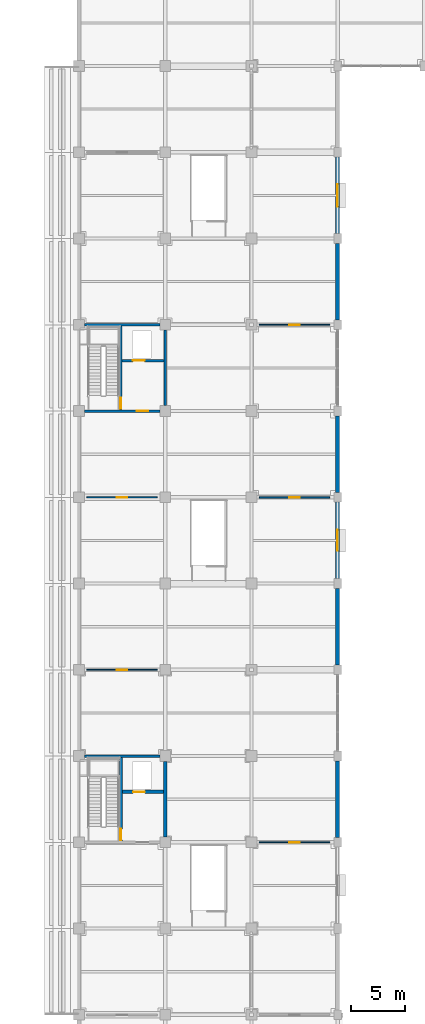
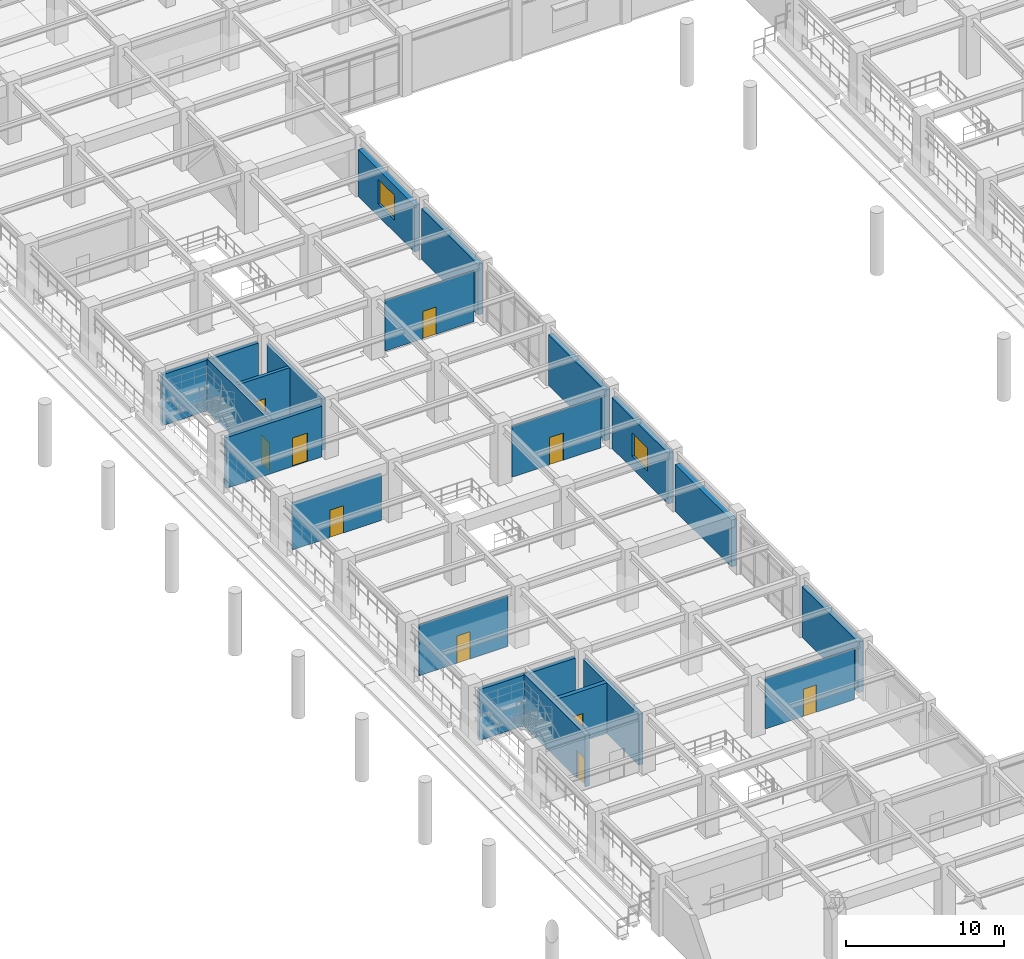
# One storey, part 79 of 117: 20 walls, 10 doors, 2 windows, 12 openings.
"""IFC4 building model written with IfcOpenShell, lengths in metres."""

from ifc_helpers import new_model, si_unit, direction, frame, frame_2d, origin, place, context, subcontext, project, spatial, rectangle, extrude, material, layer, layer_set, type_object, element, fill, save


model = new_model("IFC4")

# Units and contexts
model_context = context("Model", 3, precision=1e-05, world=origin(), true_north=direction((0.0, 1.0)))
body_context = subcontext(model_context, "Body", "Model", "MODEL_VIEW")
ifc_project = project(units=[si_unit("LENGTHUNIT", "METRE"), si_unit("AREAUNIT", "SQUARE_METRE"), si_unit("VOLUMEUNIT", "CUBIC_METRE"), si_unit("PLANEANGLEUNIT", "RADIAN"), si_unit("MASSUNIT", "GRAM", prefix="KILO")], contexts=[model_context])

# Site, building, storey
site_placement = place(None, origin())
site = spatial("IfcSite", under=ifc_project, at=site_placement, CompositionType="ELEMENT")
building_placement = place(site_placement, origin())
building = spatial("IfcBuilding", under=site, at=building_placement, Name="Haebicheon Civic Stadium", CompositionType="ELEMENT")
storey_placement = place(building_placement, frame((0.0, 0.0, 4.800048828125)))
storey = spatial("IfcBuildingStorey", under=building, at=storey_placement, Name="L02", CompositionType="ELEMENT", Elevation=4.800048828125)

# Wall
ifc_material_1 = material(Name="Concrete C40/50", Category="concrete")
ifc_layer_1 = layer(ifc_material_1, 0.239990234375, Name="Concrete C40/50")
ifc_layer_set_1 = layer_set([ifc_layer_1], Name="Concrete C40/50")
wall_type_1 = type_object("IfcWallType", Name="CW-SHR-240", PredefinedType="SHEAR", material=ifc_layer_set_1)
wall_1_placement = place(storey_placement, frame((144.5, 72.0, 0.0), z_axis=(0.0, 0.0, 1.0), x_axis=(1.0, 0.0, 0.0)))
element("IfcWall", 1, at=wall_1_placement, inside=storey, type_object=wall_type_1, material=ifc_layer_set_1, Name="KC-10 L02 north core shear wall", PredefinedType="SHEAR", context=body_context, shape_type="SweptSolid", body=[
    extrude(rectangle(XDim=7.0, YDim=0.239990234375, at=frame_2d((3.5, 0.0))), origin(), (0.0, 0.0, 1.0), 3.909912109375),
])

# Wall, opening, door
wall_2_placement = place(storey_placement, frame((144.5, 104.0, 0.0), z_axis=(0.0, 0.0, 1.0), x_axis=(1.0, 0.0, 0.0)))
wall_2 = element("IfcWall", 2, at=wall_2_placement, inside=storey, type_object=wall_type_1, material=ifc_layer_set_1, Name="KC-11 L02 south core shear wall", PredefinedType="SHEAR", context=body_context, shape_type="SweptSolid", body=[
    extrude(rectangle(XDim=7.0, YDim=0.239990234375, at=frame_2d((3.5, 0.0))), origin(), (0.0, 0.0, 1.0), 3.909912109375),
])
opening_1_placement = place(wall_2_placement, frame((4.85009765625, 0.0, 0.0)))
opening_1 = element("IfcOpeningElement", 3, at=opening_1_placement, cuts=wall_2, Name="Opening D-L02-KC-11-LOB", PredefinedType="OPENING", context=body_context, shape_type="SweptSolid", body=[
    extrude(rectangle(XDim=1.10009765625, YDim=2.199951171875, at=frame_2d((0.550048828125, 1.10009765625))), frame((0.0, 0.1298828125, 0.0), z_axis=(0.0, -1.0, 0.0), x_axis=(1.0, 0.0, 0.0)), (0.0, 0.0, 1.0), 0.260009765625),
])
ifc_material_2 = material(Name="Galvanised painted steel SM355", Category="steel")
door_type_1 = type_object("IfcDoorType", Name="ID-FD-1100", OperationType="NOTDEFINED", PredefinedType="DOOR", material=ifc_material_2)
door_1_placement = place(opening_1_placement, origin())
door_1 = element("IfcDoor", 4, at=door_1_placement, inside=storey, type_object=door_type_1, material=ifc_material_2, Name="L02 KC-11 lobby fire door", OperationType="SINGLE_SWING_RIGHT", OverallHeight=2.199951171875, OverallWidth=1.10009765625, PredefinedType="DOOR", context=body_context, shape_type="SweptSolid", body=[
    extrude(rectangle(XDim=1.10009765625, YDim=2.199951171875, at=frame_2d((0.550048828125, 1.10009765625))), frame((0.0, 0.02490234375, 0.0), z_axis=(0.0, -1.0, 0.0), x_axis=(1.0, 0.0, 0.0)), (0.0, 0.0, 1.0), 0.050048828125),
])
fill(opening_1, door_1)

# Walls
for number, where, z_axis, x_axis, name in (
    (5, (144.5, 112.0, 0.0), (0.0, 0.0, 1.0), (1.0, 0.0, 0.0), "KC-11 L02 north core shear wall"),
    (6, (152.0, 104.5, 0.0), (0.0, 0.0, 1.0), (0.0, 1.0, 0.0), "KC-11 L02 east core shear wall"),
):
    element("IfcWall", number, at=place(storey_placement, frame(where, z_axis=z_axis, x_axis=x_axis)), inside=storey, type_object=wall_type_1, material=ifc_layer_set_1, Name=name, PredefinedType="SHEAR", context=body_context, shape_type="SweptSolid", body=[
        extrude(rectangle(XDim=7.0, YDim=0.239990234375, at=frame_2d((3.5, 0.0))), origin(), (0.0, 0.0, 1.0), 3.909912109375),
    ])

# Wall, opening, door
wall_3_placement = place(storey_placement, frame((147.8798828125, 104.1201171875, 0.0), z_axis=(0.0, 0.0, 1.0), x_axis=(0.0, 1.0, 0.0)))
wall_3 = element("IfcWall", 7, at=wall_3_placement, inside=storey, type_object=wall_type_1, material=ifc_layer_set_1, Name="KC-11 L02 stair-lobby dividing shear wall", PredefinedType="SHEAR", context=body_context, shape_type="SweptSolid", body=[
    extrude(rectangle(XDim=7.759765625, YDim=0.239990234375, at=frame_2d((3.8798828125, 0.0))), origin(), (0.0, 0.0, 1.0), 4.010009765625),
])
opening_2_placement = place(wall_3_placement, frame((0.080078125, 0.0, 0.0)))
opening_2 = element("IfcOpeningElement", 8, at=opening_2_placement, cuts=wall_3, Name="Opening D-L02-KC-11-STR", PredefinedType="OPENING", context=body_context, shape_type="SweptSolid", body=[
    extrude(rectangle(XDim=1.050048828125, YDim=2.14990234375, at=frame_2d((0.52490234375, 1.074951171875))), frame((0.0, 0.1298828125, 0.0), z_axis=(0.0, -1.0, 0.0), x_axis=(1.0, 0.0, 0.0)), (0.0, 0.0, 1.0), 0.260009765625),
])
ifc_material_3 = material(Name="Galvanised painted steel SM355", Category="steel")
door_type_2 = type_object("IfcDoorType", Name="ID-FD-1050", OperationType="NOTDEFINED", PredefinedType="DOOR", material=ifc_material_3)
door_2_placement = place(opening_2_placement, origin())
door_2 = element("IfcDoor", 9, at=door_2_placement, inside=storey, type_object=door_type_2, material=ifc_material_3, Name="L02 ST-11 stairwell escape door", OperationType="SINGLE_SWING_LEFT", OverallHeight=2.14990234375, OverallWidth=1.050048828125, PredefinedType="DOOR", context=body_context, shape_type="SweptSolid", body=[
    extrude(rectangle(XDim=1.050048828125, YDim=2.14990234375, at=frame_2d((0.52490234375, 1.074951171875))), frame((0.0, 0.02490234375, 0.0), z_axis=(0.0, -1.0, 0.0), x_axis=(1.0, 0.0, 0.0)), (0.0, 0.0, 1.0), 0.050048828125),
])
fill(opening_2, door_2)

wall_4_placement = place(storey_placement, frame((148.0, 108.679931640625, 0.0), z_axis=(0.0, 0.0, 1.0), x_axis=(1.0, 0.0, 0.0)))
wall_4 = element("IfcWall", 10, at=wall_4_placement, inside=storey, type_object=wall_type_1, material=ifc_layer_set_1, Name="KC-11 L02 lift shaft front wall", PredefinedType="SHEAR", context=body_context, shape_type="SweptSolid", body=[
    extrude(rectangle(XDim=3.8798828125, YDim=0.239990234375, at=frame_2d((1.93994140625, 0.0))), origin(), (0.0, 0.0, 1.0), 3.909912109375),
])
opening_3_placement = place(wall_4_placement, frame((1.0, 0.0, 0.0)))
opening_3 = element("IfcOpeningElement", 11, at=opening_3_placement, cuts=wall_4, Name="Opening LD-08-L02", PredefinedType="OPENING", context=body_context, shape_type="SweptSolid", body=[
    extrude(rectangle(XDim=1.10009765625, YDim=2.14990234375, at=frame_2d((0.550048828125, 1.074951171875))), frame((0.0, 0.1298828125, 0.0), z_axis=(0.0, -1.0, 0.0), x_axis=(1.0, 0.0, 0.0)), (0.0, 0.0, 1.0), 0.260009765625),
])
ifc_material_4 = material(Name="Stainless steel 316", Category="steel")
door_type_3 = type_object("IfcDoorType", Name="ID-LD-1100", OperationType="NOTDEFINED", PredefinedType="DOOR", material=ifc_material_4)
door_3_placement = place(opening_3_placement, origin())
door_3 = element("IfcDoor", 12, at=door_3_placement, inside=storey, type_object=door_type_3, material=ifc_material_4, Name="LF-08 lift landing sliding door L02", OperationType="SLIDING_TO_LEFT", OverallHeight=2.14990234375, OverallWidth=1.10009765625, PredefinedType="DOOR", context=body_context, shape_type="SweptSolid", body=[
    extrude(rectangle(XDim=1.10009765625, YDim=2.14990234375, at=frame_2d((0.550048828125, 1.074951171875))), frame((0.0, 0.02490234375, 0.0), z_axis=(0.0, -1.0, 0.0), x_axis=(1.0, 0.0, 0.0)), (0.0, 0.0, 1.0), 0.050048828125),
])
fill(opening_3, door_3)

# Wall
ifc_material_5 = material(Name="Concrete C40/50", Category="concrete")
ifc_layer_2 = layer(ifc_material_5, 0.300048828125, Name="Concrete C40/50")
ifc_layer_set_2 = layer_set([ifc_layer_2], Name="Concrete C40/50")
wall_type_2 = type_object("IfcWallType", Name="CW-SHR-300", PredefinedType="SHEAR", material=ifc_layer_set_2)
wall_5_placement = place(storey_placement, frame((152.0, 64.5, 0.0), z_axis=(0.0, 0.0, 1.0), x_axis=(0.0, 1.0, 0.0)))
element("IfcWall", 13, at=wall_5_placement, inside=storey, type_object=wall_type_2, material=ifc_layer_set_2, Name="KC-10 L02 east core shear wall", PredefinedType="SHEAR", context=body_context, shape_type="SweptSolid", body=[
    extrude(rectangle(XDim=7.0, YDim=0.300048828125, at=frame_2d((3.5, 0.0))), origin(), (0.0, 0.0, 1.0), 3.909912109375),
])

# Wall, opening, door
wall_6_placement = place(storey_placement, frame((147.8798828125, 64.1201171875, 0.0), z_axis=(0.0, 0.0, 1.0), x_axis=(0.0, 1.0, 0.0)))
wall_6 = element("IfcWall", 14, at=wall_6_placement, inside=storey, type_object=wall_type_2, material=ifc_layer_set_2, Name="KC-10 L02 stair-lobby dividing shear wall", PredefinedType="SHEAR", context=body_context, shape_type="SweptSolid", body=[
    extrude(rectangle(XDim=7.759765625, YDim=0.300048828125, at=frame_2d((3.8798828125, 0.0))), origin(), (0.0, 0.0, 1.0), 4.010009765625),
])
opening_4_placement = place(wall_6_placement, frame((0.080078125, 0.0, 0.0)))
opening_4 = element("IfcOpeningElement", 15, at=opening_4_placement, cuts=wall_6, Name="Opening D-L02-KC-10-STR", PredefinedType="OPENING", context=body_context, shape_type="SweptSolid", body=[
    extrude(rectangle(XDim=1.050048828125, YDim=2.14990234375, at=frame_2d((0.52490234375, 1.074951171875))), frame((0.0, 0.159912109375, 0.0), z_axis=(0.0, -1.0, 0.0), x_axis=(1.0, 0.0, 0.0)), (0.0, 0.0, 1.0), 0.320068359375),
])
door_4_placement = place(opening_4_placement, origin())
door_4 = element("IfcDoor", 16, at=door_4_placement, inside=storey, type_object=door_type_2, material=ifc_material_3, Name="L02 ST-10 stairwell escape door", OperationType="SINGLE_SWING_RIGHT", OverallHeight=2.14990234375, OverallWidth=1.050048828125, PredefinedType="DOOR", context=body_context, shape_type="SweptSolid", body=[
    extrude(rectangle(XDim=1.050048828125, YDim=2.14990234375, at=frame_2d((0.52490234375, 1.074951171875))), frame((0.0, 0.02490234375, 0.0), z_axis=(0.0, -1.0, 0.0), x_axis=(1.0, 0.0, 0.0)), (0.0, 0.0, 1.0), 0.050048828125),
])
fill(opening_4, door_4)

wall_7_placement = place(storey_placement, frame((148.030029296875, 68.679931640625, 0.0), z_axis=(0.0, 0.0, 1.0), x_axis=(1.0, 0.0, 0.0)))
wall_7 = element("IfcWall", 17, at=wall_7_placement, inside=storey, type_object=wall_type_2, material=ifc_layer_set_2, Name="KC-10 L02 lift shaft front wall", PredefinedType="SHEAR", context=body_context, shape_type="SweptSolid", body=[
    extrude(rectangle(XDim=3.820068359375, YDim=0.300048828125, at=frame_2d((1.91015625, 0.0))), origin(), (0.0, 0.0, 1.0), 3.909912109375),
])
opening_5_placement = place(wall_7_placement, frame((1.0, 0.0, 0.0)))
opening_5 = element("IfcOpeningElement", 18, at=opening_5_placement, cuts=wall_7, Name="Opening LD-07-L02", PredefinedType="OPENING", context=body_context, shape_type="SweptSolid", body=[
    extrude(rectangle(XDim=1.10009765625, YDim=2.14990234375, at=frame_2d((0.550048828125, 1.074951171875))), frame((0.0, 0.159912109375, 0.0), z_axis=(0.0, -1.0, 0.0), x_axis=(1.0, 0.0, 0.0)), (0.0, 0.0, 1.0), 0.320068359375),
])
door_5_placement = place(opening_5_placement, origin())
door_5 = element("IfcDoor", 19, at=door_5_placement, inside=storey, type_object=door_type_3, material=ifc_material_4, Name="LF-07 lift landing sliding door L02", OperationType="SLIDING_TO_LEFT", OverallHeight=2.14990234375, OverallWidth=1.10009765625, PredefinedType="DOOR", context=body_context, shape_type="SweptSolid", body=[
    extrude(rectangle(XDim=1.10009765625, YDim=2.14990234375, at=frame_2d((0.550048828125, 1.074951171875))), frame((0.0, 0.02490234375, 0.0), z_axis=(0.0, -1.0, 0.0), x_axis=(1.0, 0.0, 0.0)), (0.0, 0.0, 1.0), 0.050048828125),
])
fill(opening_5, door_5)

# Walls
ifc_material_6 = material(Name="Concrete C40/50", Category="concrete")
ifc_layer_3 = layer(ifc_material_6, 0.3798828125, Name="Concrete C40/50")
ifc_layer_set_3 = layer_set([ifc_layer_3], Name="Concrete C40/50")
wall_type_3 = type_object("IfcWallType", Name="EW-BM-380", PredefinedType="SOLIDWALL", material=ifc_layer_set_3)
wall_8_placement = place(storey_placement, frame((168.0, 64.449951171875, 0.0), z_axis=(0.0, 0.0, 1.0), x_axis=(0.0, 1.0, 0.0)))
element("IfcWall", 20, at=wall_8_placement, inside=storey, type_object=wall_type_3, material=ifc_layer_set_3, Name="L02 board-marked concrete facade wall 21-08-E", PredefinedType="SOLIDWALL", context=body_context, shape_type="SweptSolid", body=[
    extrude(rectangle(XDim=7.10009765625, YDim=0.3798828125, at=frame_2d((3.550048828125, 0.0))), origin(), (0.0, 0.0, 1.0), 3.909912109375),
])
wall_9_placement = place(storey_placement, frame((168.0, 80.449951171875, 0.0), z_axis=(0.0, 0.0, 1.0), x_axis=(0.0, 1.0, 0.0)))
element("IfcWall", 21, at=wall_9_placement, inside=storey, type_object=wall_type_3, material=ifc_layer_set_3, Name="L02 board-marked concrete facade wall 21-10-E", PredefinedType="SOLIDWALL", context=body_context, shape_type="SweptSolid", body=[
    extrude(rectangle(XDim=7.10009765625, YDim=0.3798828125, at=frame_2d((3.550048828125, 0.0))), origin(), (0.0, 0.0, 1.0), 3.60986328125),
])

# Wall, opening, window
wall_10_placement = place(storey_placement, frame((168.0, 88.449951171875, 0.0), z_axis=(0.0, 0.0, 1.0), x_axis=(0.0, 1.0, 0.0)))
wall_10 = element("IfcWall", 22, at=wall_10_placement, inside=storey, type_object=wall_type_3, material=ifc_layer_set_3, Name="L02 board-marked concrete facade wall 21-11-E", PredefinedType="SOLIDWALL", context=body_context, shape_type="SweptSolid", body=[
    extrude(rectangle(XDim=7.10009765625, YDim=0.3798828125, at=frame_2d((3.550048828125, 0.0))), origin(), (0.0, 0.0, 1.0), 3.909912109375),
])
opening_6_placement = place(wall_10_placement, frame((2.574951171875, 0.0, 0.949951171875)))
opening_6 = element("IfcOpeningElement", 23, at=opening_6_placement, cuts=wall_10, Name="Opening WIN-195x180", PredefinedType="OPENING", context=body_context, shape_type="SweptSolid", body=[
    extrude(rectangle(XDim=1.949951171875, YDim=1.800048828125, at=frame_2d((0.97509765625, 0.89990234375))), frame((0.0, 0.199951171875, 0.0), z_axis=(0.0, -1.0, 0.0), x_axis=(1.0, 0.0, 0.0)), (0.0, 0.0, 1.0), 0.39990234375),
])
ifc_material_7 = material(Name="Anodised aluminium and laminated glass", Category="aluminium")
window_type_1 = type_object("IfcWindowType", Name="WIN-195x180", PartitioningType="SINGLE_PANEL", PredefinedType="WINDOW", material=ifc_material_7)
window_1_placement = place(opening_6_placement, origin())
window_1 = element("IfcWindow", 24, at=window_1_placement, inside=storey, type_object=window_type_1, material=ifc_material_7, Name="L02 facade window 052", OverallHeight=1.800048828125, OverallWidth=1.949951171875, PartitioningType="SINGLE_PANEL", PredefinedType="WINDOW", context=body_context, shape_type="SweptSolid", body=[
    extrude(rectangle(XDim=1.949951171875, YDim=1.800048828125, at=frame_2d((0.97509765625, 0.89990234375))), frame((0.0, 0.030029296875, 0.0), z_axis=(0.0, -1.0, 0.0), x_axis=(1.0, 0.0, 0.0)), (0.0, 0.0, 1.0), 0.06005859375),
])
fill(opening_6, window_1)

# Walls
for number, where, z_axis, x_axis, name in (
    (25, (168.0, 96.449951171875, 0.0), (0.0, 0.0, 1.0), (0.0, 1.0, 0.0), "L02 board-marked concrete facade wall 21-12-E"),
    (26, (168.0, 112.449951171875, 0.0), (0.0, 0.0, 1.0), (0.0, 1.0, 0.0), "L02 board-marked concrete facade wall 21-14-E"),
):
    element("IfcWall", number, at=place(storey_placement, frame(where, z_axis=z_axis, x_axis=x_axis)), inside=storey, type_object=wall_type_3, material=ifc_layer_set_3, Name=name, PredefinedType="SOLIDWALL", context=body_context, shape_type="SweptSolid", body=[
        extrude(rectangle(XDim=7.10009765625, YDim=0.3798828125, at=frame_2d((3.550048828125, 0.0))), origin(), (0.0, 0.0, 1.0), 3.909912109375),
    ])

# Wall, opening, window
wall_11_placement = place(storey_placement, frame((168.0, 120.449951171875, 0.0), z_axis=(0.0, 0.0, 1.0), x_axis=(0.0, 1.0, 0.0)))
wall_11 = element("IfcWall", 27, at=wall_11_placement, inside=storey, type_object=wall_type_3, material=ifc_layer_set_3, Name="L02 board-marked concrete facade wall 21-15-E", PredefinedType="SOLIDWALL", context=body_context, shape_type="SweptSolid", body=[
    extrude(rectangle(XDim=7.10009765625, YDim=0.3798828125, at=frame_2d((3.550048828125, 0.0))), origin(), (0.0, 0.0, 1.0), 3.60986328125),
])
opening_7_placement = place(wall_11_placement, frame((2.5, 0.0, 0.949951171875)))
opening_7 = element("IfcOpeningElement", 28, at=opening_7_placement, cuts=wall_11, Name="Opening WIN-210x190", PredefinedType="OPENING", context=body_context, shape_type="SweptSolid", body=[
    extrude(rectangle(XDim=2.10009765625, YDim=1.89990234375, at=frame_2d((1.050048828125, 0.949951171875))), frame((0.0, 0.199951171875, 0.0), z_axis=(0.0, -1.0, 0.0), x_axis=(1.0, 0.0, 0.0)), (0.0, 0.0, 1.0), 0.39990234375),
])
ifc_material_8 = material(Name="Anodised aluminium and laminated glass", Category="aluminium")
window_type_2 = type_object("IfcWindowType", Name="WIN-210x190", PartitioningType="SINGLE_PANEL", PredefinedType="WINDOW", material=ifc_material_8)
window_2_placement = place(opening_7_placement, origin())
window_2 = element("IfcWindow", 29, at=window_2_placement, inside=storey, type_object=window_type_2, material=ifc_material_8, Name="L02 facade window 053", OverallHeight=1.89990234375, OverallWidth=2.10009765625, PartitioningType="SINGLE_PANEL", PredefinedType="WINDOW", context=body_context, shape_type="SweptSolid", body=[
    extrude(rectangle(XDim=2.10009765625, YDim=1.89990234375, at=frame_2d((1.050048828125, 0.949951171875))), frame((0.0, 0.030029296875, 0.0), z_axis=(0.0, -1.0, 0.0), x_axis=(1.0, 0.0, 0.0)), (0.0, 0.0, 1.0), 0.06005859375),
])
fill(opening_7, window_2)

# Wall, opening, door
ifc_material_9 = material(Name="Anodised aluminium and laminated glass", Category="aluminium")
ifc_layer_4 = layer(ifc_material_9, 0.10009765625, Name="Anodised aluminium and laminated glass")
ifc_layer_set_4 = layer_set([ifc_layer_4], Name="Anodised aluminium and laminated glass")
wall_type_4 = type_object("IfcWallType", Name="IW-PRT-100", PredefinedType="PARTITIONING", material=ifc_layer_set_4)
wall_12_placement = place(storey_placement, frame((144.75, 80.0, 0.0), z_axis=(0.0, 0.0, 1.0), x_axis=(1.0, 0.0, 0.0)))
wall_12 = element("IfcWall", 30, at=wall_12_placement, inside=storey, type_object=wall_type_4, material=ifc_layer_set_4, Name="L02 Food and Beverage Kiosk partition wall", PredefinedType="PARTITIONING", context=body_context, shape_type="SweptSolid", body=[
    extrude(rectangle(XDim=6.5, YDim=0.10009765625, at=frame_2d((3.25, 0.0))), origin(), (0.0, 0.0, 1.0), 3.909912109375),
])
opening_8_placement = place(wall_12_placement, frame((2.77490234375, 0.0, 0.0)))
opening_8 = element("IfcOpeningElement", 31, at=opening_8_placement, cuts=wall_12, Name="Opening D-L02-217", PredefinedType="OPENING", context=body_context, shape_type="SweptSolid", body=[
    extrude(rectangle(XDim=0.949951171875, YDim=2.10009765625, at=frame_2d((0.47509765625, 1.050048828125))), frame((0.0, 0.06005859375, 0.0), z_axis=(0.0, -1.0, 0.0), x_axis=(1.0, 0.0, 0.0)), (0.0, 0.0, 1.0), 0.1201171875),
])
ifc_material_10 = material(Name="Engineered hardwood timber", Category="wood")
door_type_4 = type_object("IfcDoorType", Name="ID-RM-0950", OperationType="NOTDEFINED", PredefinedType="DOOR", material=ifc_material_10)
door_6_placement = place(opening_8_placement, origin())
door_6 = element("IfcDoor", 32, at=door_6_placement, inside=storey, type_object=door_type_4, material=ifc_material_10, Name="L02 Food and Beverage Kiosk entrance door D-L02-217", OperationType="SINGLE_SWING_LEFT", OverallHeight=2.10009765625, OverallWidth=0.949951171875, PredefinedType="DOOR", context=body_context, shape_type="SweptSolid", body=[
    extrude(rectangle(XDim=0.949951171875, YDim=2.10009765625, at=frame_2d((0.47509765625, 1.050048828125))), frame((0.0, 0.02490234375, 0.0), z_axis=(0.0, -1.0, 0.0), x_axis=(1.0, 0.0, 0.0)), (0.0, 0.0, 1.0), 0.050048828125),
])
fill(opening_8, door_6)

wall_13_placement = place(storey_placement, frame((160.75, 64.0, 0.0), z_axis=(0.0, 0.0, 1.0), x_axis=(1.0, 0.0, 0.0)))
wall_13 = element("IfcWall", 33, at=wall_13_placement, inside=storey, type_object=wall_type_4, material=ifc_layer_set_4, Name="L02 Supporters' Club Lounge partition wall", PredefinedType="PARTITIONING", context=body_context, shape_type="SweptSolid", body=[
    extrude(rectangle(XDim=6.5, YDim=0.10009765625, at=frame_2d((3.25, 0.0))), origin(), (0.0, 0.0, 1.0), 3.909912109375),
])
opening_9_placement = place(wall_13_placement, frame((2.77490234375, 0.0, 0.0)))
opening_9 = element("IfcOpeningElement", 34, at=opening_9_placement, cuts=wall_13, Name="Opening D-L02-235", PredefinedType="OPENING", context=body_context, shape_type="SweptSolid", body=[
    extrude(rectangle(XDim=0.949951171875, YDim=2.10009765625, at=frame_2d((0.47509765625, 1.050048828125))), frame((0.0, 0.06005859375, 0.0), z_axis=(0.0, -1.0, 0.0), x_axis=(1.0, 0.0, 0.0)), (0.0, 0.0, 1.0), 0.1201171875),
])
door_7_placement = place(opening_9_placement, origin())
door_7 = element("IfcDoor", 35, at=door_7_placement, inside=storey, type_object=door_type_4, material=ifc_material_10, Name="L02 Supporters' Club Lounge entrance door D-L02-235", OperationType="SINGLE_SWING_RIGHT", OverallHeight=2.10009765625, OverallWidth=0.949951171875, PredefinedType="DOOR", context=body_context, shape_type="SweptSolid", body=[
    extrude(rectangle(XDim=0.949951171875, YDim=2.10009765625, at=frame_2d((0.47509765625, 1.050048828125))), frame((0.0, 0.02490234375, 0.0), z_axis=(0.0, -1.0, 0.0), x_axis=(1.0, 0.0, 0.0)), (0.0, 0.0, 1.0), 0.050048828125),
])
fill(opening_9, door_7)

wall_14_placement = place(storey_placement, frame((160.75, 112.0, 0.0), z_axis=(0.0, 0.0, 1.0), x_axis=(1.0, 0.0, 0.0)))
wall_14 = element("IfcWall", 36, at=wall_14_placement, inside=storey, type_object=wall_type_4, material=ifc_layer_set_4, Name="L02 Supporters' Club Lounge partition wall", PredefinedType="PARTITIONING", context=body_context, shape_type="SweptSolid", body=[
    extrude(rectangle(XDim=6.5, YDim=0.10009765625, at=frame_2d((3.25, 0.0))), origin(), (0.0, 0.0, 1.0), 3.909912109375),
])
opening_10_placement = place(wall_14_placement, frame((2.77490234375, 0.0, 0.0)))
opening_10 = element("IfcOpeningElement", 37, at=opening_10_placement, cuts=wall_14, Name="Opening D-L02-237", PredefinedType="OPENING", context=body_context, shape_type="SweptSolid", body=[
    extrude(rectangle(XDim=0.949951171875, YDim=2.10009765625, at=frame_2d((0.47509765625, 1.050048828125))), frame((0.0, 0.06005859375, 0.0), z_axis=(0.0, -1.0, 0.0), x_axis=(1.0, 0.0, 0.0)), (0.0, 0.0, 1.0), 0.1201171875),
])
door_8_placement = place(opening_10_placement, origin())
door_8 = element("IfcDoor", 38, at=door_8_placement, inside=storey, type_object=door_type_4, material=ifc_material_10, Name="L02 Supporters' Club Lounge entrance door D-L02-237", OperationType="SINGLE_SWING_RIGHT", OverallHeight=2.10009765625, OverallWidth=0.949951171875, PredefinedType="DOOR", context=body_context, shape_type="SweptSolid", body=[
    extrude(rectangle(XDim=0.949951171875, YDim=2.10009765625, at=frame_2d((0.47509765625, 1.050048828125))), frame((0.0, 0.02490234375, 0.0), z_axis=(0.0, -1.0, 0.0), x_axis=(1.0, 0.0, 0.0)), (0.0, 0.0, 1.0), 0.050048828125),
])
fill(opening_10, door_8)

ifc_material_11 = material(Name="Gypsum plasterboard on steel studs", Category="gypsum")
ifc_layer_5 = layer(ifc_material_11, 0.1201171875, Name="Gypsum plasterboard on steel studs")
ifc_layer_set_5 = layer_set([ifc_layer_5], Name="Gypsum plasterboard on steel studs")
wall_type_5 = type_object("IfcWallType", Name="IW-PRT-120", PredefinedType="PARTITIONING", material=ifc_layer_set_5)
wall_15_placement = place(storey_placement, frame((144.75, 96.0, 0.0), z_axis=(0.0, 0.0, 1.0), x_axis=(1.0, 0.0, 0.0)))
wall_15 = element("IfcWall", 39, at=wall_15_placement, inside=storey, type_object=wall_type_5, material=ifc_layer_set_5, Name="L02 Merchandise Kiosk partition wall", PredefinedType="PARTITIONING", context=body_context, shape_type="SweptSolid", body=[
    extrude(rectangle(XDim=6.5, YDim=0.1201171875, at=frame_2d((3.25, 0.0))), origin(), (0.0, 0.0, 1.0), 3.60986328125),
])
opening_11_placement = place(wall_15_placement, frame((2.75, 0.0, 0.0)))
opening_11 = element("IfcOpeningElement", 40, at=opening_11_placement, cuts=wall_15, Name="Opening D-L02-218", PredefinedType="OPENING", context=body_context, shape_type="SweptSolid", body=[
    extrude(rectangle(XDim=1.0, YDim=2.10009765625, at=frame_2d((0.5, 1.050048828125))), frame((0.0, 0.070068359375, 0.0), z_axis=(0.0, -1.0, 0.0), x_axis=(1.0, 0.0, 0.0)), (0.0, 0.0, 1.0), 0.14013671875),
])
ifc_material_12 = material(Name="Engineered hardwood timber", Category="wood")
door_type_5 = type_object("IfcDoorType", Name="ID-RM-1000", OperationType="NOTDEFINED", PredefinedType="DOOR", material=ifc_material_12)
door_9_placement = place(opening_11_placement, origin())
door_9 = element("IfcDoor", 41, at=door_9_placement, inside=storey, type_object=door_type_5, material=ifc_material_12, Name="L02 Merchandise Kiosk entrance door D-L02-218", OperationType="SINGLE_SWING_RIGHT", OverallHeight=2.10009765625, OverallWidth=1.0, PredefinedType="DOOR", context=body_context, shape_type="SweptSolid", body=[
    extrude(rectangle(XDim=1.0, YDim=2.10009765625, at=frame_2d((0.5, 1.050048828125))), frame((0.0, 0.02490234375, 0.0), z_axis=(0.0, -1.0, 0.0), x_axis=(1.0, 0.0, 0.0)), (0.0, 0.0, 1.0), 0.050048828125),
])
fill(opening_11, door_9)

ifc_material_13 = material(Name="Gypsum plasterboard on steel studs", Category="gypsum")
ifc_layer_6 = layer(ifc_material_13, 0.1298828125, Name="Gypsum plasterboard on steel studs")
ifc_layer_set_6 = layer_set([ifc_layer_6], Name="Gypsum plasterboard on steel studs")
wall_type_6 = type_object("IfcWallType", Name="IW-PRT-130", PredefinedType="PARTITIONING", material=ifc_layer_set_6)
wall_16_placement = place(storey_placement, frame((160.75, 96.0, 0.0), z_axis=(0.0, 0.0, 1.0), x_axis=(1.0, 0.0, 0.0)))
wall_16 = element("IfcWall", 42, at=wall_16_placement, inside=storey, type_object=wall_type_6, material=ifc_layer_set_6, Name="L02 Sports Heritage Reading Room partition wall", PredefinedType="PARTITIONING", context=body_context, shape_type="SweptSolid", body=[
    extrude(rectangle(XDim=6.5, YDim=0.1298828125, at=frame_2d((3.25, 0.0))), origin(), (0.0, 0.0, 1.0), 3.909912109375),
])
opening_12_placement = place(wall_16_placement, frame((2.75, 0.0, 0.0)))
opening_12 = element("IfcOpeningElement", 43, at=opening_12_placement, cuts=wall_16, Name="Opening D-L02-236", PredefinedType="OPENING", context=body_context, shape_type="SweptSolid", body=[
    extrude(rectangle(XDim=1.0, YDim=2.10009765625, at=frame_2d((0.5, 1.050048828125))), frame((0.0, 0.074951171875, 0.0), z_axis=(0.0, -1.0, 0.0), x_axis=(1.0, 0.0, 0.0)), (0.0, 0.0, 1.0), 0.14990234375),
])
door_10_placement = place(opening_12_placement, origin())
door_10 = element("IfcDoor", 44, at=door_10_placement, inside=storey, type_object=door_type_5, material=ifc_material_12, Name="L02 Sports Heritage Reading Room entrance door D-L02-236", OperationType="SINGLE_SWING_LEFT", OverallHeight=2.10009765625, OverallWidth=1.0, PredefinedType="DOOR", context=body_context, shape_type="SweptSolid", body=[
    extrude(rectangle(XDim=1.0, YDim=2.10009765625, at=frame_2d((0.5, 1.050048828125))), frame((0.0, 0.02490234375, 0.0), z_axis=(0.0, -1.0, 0.0), x_axis=(1.0, 0.0, 0.0)), (0.0, 0.0, 1.0), 0.050048828125),
])
fill(opening_12, door_10)

save(model, "model.ifc")
